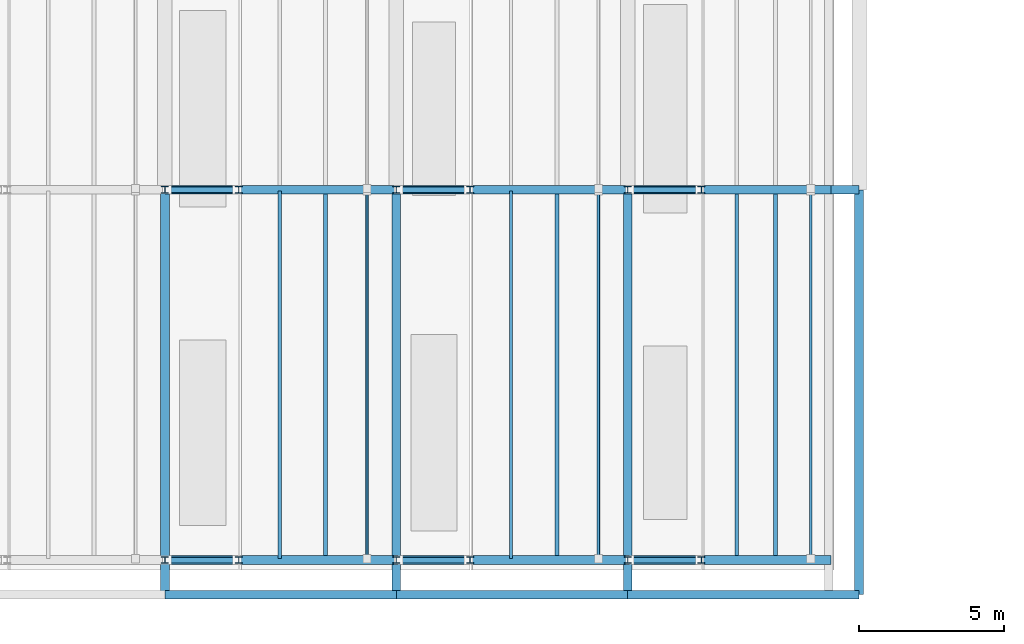
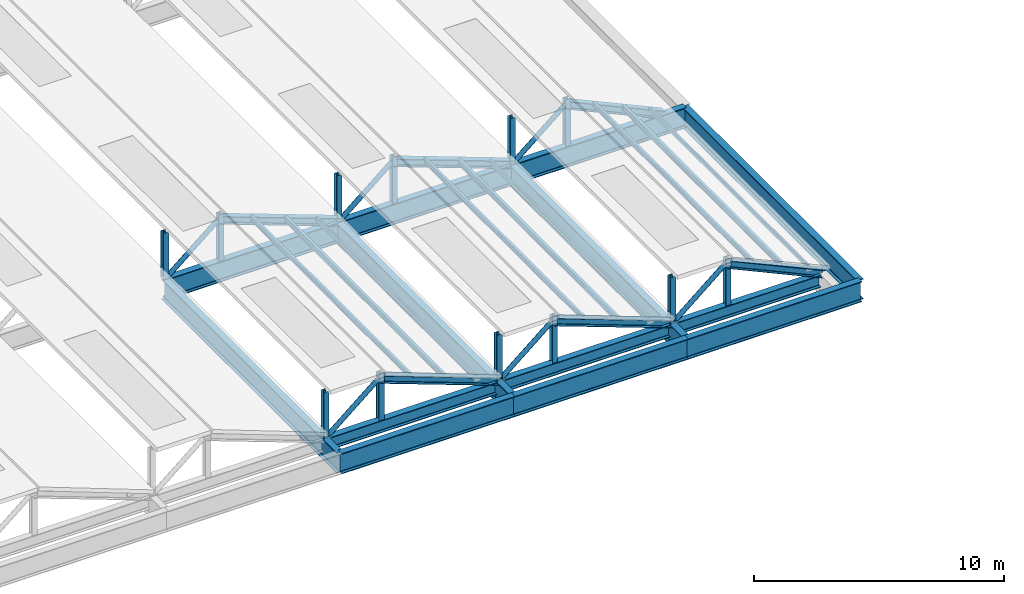
# One storey, part 4 of 14: 33 members, 13 beams.
"""IFC4 building model written with IfcOpenShell, lengths in metres."""

from ifc_helpers import new_model, si_unit, direction, frame, origin, origin_2d, place, context, subcontext, project, spatial, hollow_rectangle, hollow_circle, i_section, extrude, material, material_profile, profile_set, type_object, element, save


model = new_model("IFC4")

# Units and contexts
model_context = context("Model", 3, precision=1e-05, world=origin(), true_north=direction((0.0, 1.0)))
body_context = subcontext(model_context, "Body", "Model", "MODEL_VIEW")
ifc_project = project(units=[si_unit("LENGTHUNIT", "METRE"), si_unit("AREAUNIT", "SQUARE_METRE"), si_unit("VOLUMEUNIT", "CUBIC_METRE"), si_unit("PLANEANGLEUNIT", "RADIAN"), si_unit("MASSUNIT", "GRAM", prefix="KILO")], contexts=[model_context])

# Site, building, storey
site_placement = place(None, origin())
site = spatial("IfcSite", under=ifc_project, at=site_placement, CompositionType="ELEMENT")
building_placement = place(site_placement, origin())
building = spatial("IfcBuilding", under=site, at=building_placement, Name="Vekula Escarpment Museum", CompositionType="ELEMENT")
storey_placement = place(building_placement, frame((0.0, 0.0, 30.60009765625)))
storey = spatial("IfcBuildingStorey", under=building, at=storey_placement, Name="RF", CompositionType="ELEMENT", Elevation=30.60009765625)

# Beams
ifc_material_1 = material(Name="Steel S355", Category="steel")
ifc_material_profile_1 = material_profile(ifc_material_1, i_section(OverallWidth=0.300048828125, OverallDepth=0.60009765625, WebThickness=0.015380859375, FlangeThickness=0.030029296875, FilletRadius=0.027099609375, at=origin_2d()), Name="HEB 600")
ifc_profile_set_1 = profile_set([ifc_material_profile_1], Name="Steel S355")
beam_type_1 = type_object("IfcBeamType", Name="BM-GIRD-HEB600", PredefinedType="BEAM", material=ifc_profile_set_1)
for number, where, z_axis, x_axis, name in (
    (1, (102.14990234375, 46.800048828125, -2.550048828125), (1.0, 0.0, 0.0), (0.0, 1.0, 0.0), "Sawtooth Lantern Edge Girder RF 2462"),
    (2, (110.14990234375, 46.800048828125, -2.550048828125), (1.0, 0.0, 0.0), (0.0, 1.0, 0.0), "Sawtooth Lantern Edge Girder RF 2463"),
):
    element("IfcBeam", number, at=place(storey_placement, frame(where, z_axis=z_axis, x_axis=x_axis)), inside=storey, type_object=beam_type_1, Name=name, PredefinedType="BEAM", context=body_context, shape_type="SweptSolid", body=[
        extrude(i_section(OverallWidth=0.300048828125, OverallDepth=0.60009765625, WebThickness=0.015380859375, FlangeThickness=0.030029296875, FilletRadius=0.027099609375, at=origin_2d()), origin(), (0.0, 0.0, 1.0), 7.7001953125),
    ])
beam_placement = place(storey_placement, frame((118.14990234375, 46.800048828125, -2.550048828125), z_axis=(1.0, 0.0, 0.0), x_axis=(0.0, 1.0, 0.0)))
element("IfcBeam", 3, at=beam_placement, inside=storey, type_object=beam_type_1, Name="Sawtooth Lantern Edge Girder RF 2464", PredefinedType="BEAM", context=body_context, shape_type="SweptSolid", body=[
    extrude(i_section(OverallWidth=0.300048828125, OverallDepth=0.60009765625, WebThickness=0.015380859375, FlangeThickness=0.030029296875, FilletRadius=0.027099609375, at=origin_2d()), origin(), (0.0, 0.0, 1.0), 6.650146484375),
])
ifc_material_2 = material(Name="Steel S355", Category="steel")
ifc_material_profile_2 = material_profile(ifc_material_2, i_section(OverallWidth=0.300048828125, OverallDepth=1.0, WebThickness=0.01904296875, FlangeThickness=0.035888671875, FilletRadius=0.030029296875, at=origin_2d()), Name="HEB 1000")
ifc_profile_set_2 = profile_set([ifc_material_profile_2], Name="Steel S355")
beam_type_2 = type_object("IfcBeamType", Name="BM-TRUSS-CHORD-BOT", PredefinedType="BEAM", material=ifc_profile_set_2)
for number, where, z_axis, x_axis, name in (
    (4, (102.0, 45.60009765625, -2.75), (1.0, 0.0, 0.0), (0.0, 1.0, 0.0), "Roof Tie Girder RF 2434"),
    (5, (110.0, 45.60009765625, -2.75), (1.0, 0.0, 0.0), (0.0, 1.0, 0.0), "Roof Tie Girder RF 2435"),
    (6, (118.0, 45.60009765625, -2.75), (1.0, 0.0, 0.0), (0.0, 1.0, 0.0), "Roof Tie Girder RF 2436"),
    (7, (102.0, 59.60009765625, -2.75), (1.0, 0.0, 0.0), (0.0, 1.0, 0.0), "Roof Tie Girder RF 2441"),
    (8, (110.0, 59.60009765625, -2.75), (1.0, 0.0, 0.0), (0.0, 1.0, 0.0), "Roof Tie Girder RF 2442"),
    (9, (118.0, 59.60009765625, -2.75), (1.0, 0.0, 0.0), (0.0, 1.0, 0.0), "Roof Tie Girder RF 2443"),
):
    element("IfcBeam", number, at=place(storey_placement, frame(where, z_axis=z_axis, x_axis=x_axis)), inside=storey, type_object=beam_type_2, Name=name, PredefinedType="BEAM", context=body_context, shape_type="SweptSolid", body=[
        extrude(i_section(OverallWidth=0.300048828125, OverallDepth=1.0, WebThickness=0.01904296875, FlangeThickness=0.035888671875, FilletRadius=0.030029296875, at=origin_2d()), origin(), (0.0, 0.0, 1.0), 8.0),
    ])
for number, where, z_axis, x_axis, name in (
    (10, (102.0, 45.60009765625, -2.75), (0.0, 1.0, 0.0), (-1.0, 0.0, 0.0), "Sawtooth Tie Girder RF 2486"),
    (11, (110.0, 45.60009765625, -2.75), (0.0, 1.0, 0.0), (-1.0, 0.0, 0.0), "Sawtooth Tie Girder RF 2489"),
    (12, (118.0, 45.60009765625, -2.75), (0.0, 1.0, 0.0), (-1.0, 0.0, 0.0), "Sawtooth Tie Girder RF 2492"),
    (13, (126.0, 45.60009765625, -2.75), (0.0, 1.0, 0.0), (-1.0, 0.0, 0.0), "Sawtooth Tie Girder RF 2495"),
):
    element("IfcBeam", number, at=place(storey_placement, frame(where, z_axis=z_axis, x_axis=x_axis)), inside=storey, type_object=beam_type_2, Name=name, PredefinedType="BEAM", context=body_context, shape_type="SweptSolid", body=[
        extrude(i_section(OverallWidth=0.300048828125, OverallDepth=1.0, WebThickness=0.01904296875, FlangeThickness=0.035888671875, FilletRadius=0.030029296875, at=origin_2d()), origin(), (0.0, 0.0, 1.0), 14.0),
    ])

# Members
ifc_material_3 = material(Name="Steel S355", Category="steel")
ifc_material_profile_3 = material_profile(ifc_material_3, i_section(OverallWidth=0.1201171875, OverallDepth=0.239990234375, WebThickness=0.006103515625, FlangeThickness=0.009765625, FilletRadius=0.014892578125, at=origin_2d()), Name="IPE 240")
ifc_profile_set_3 = profile_set([ifc_material_profile_3], Name="Steel S355")
member_type_1 = type_object("IfcMemberType", Name="MB-PURL-IPE240", PredefinedType="PURLIN", material=ifc_profile_set_3)
for number, where, z_axis, x_axis, name in (
    (14, (105.965087890625, 46.85009765625, -0.66015625), (0.0, 1.0, 0.0), (-1.0, 0.0, 0.0), "Sawtooth Roof Purlin 057"),
    (15, (113.965087890625, 46.85009765625, -0.66015625), (0.0, 1.0, 0.0), (-1.0, 0.0, 0.0), "Sawtooth Roof Purlin 070"),
    (16, (121.764892578125, 46.85009765625, -0.66015625), (0.0, 1.0, 0.0), (-1.0, 0.0, 0.0), "Sawtooth Roof Purlin 083"),
):
    element("IfcMember", number, at=place(storey_placement, frame(where, z_axis=z_axis, x_axis=x_axis)), inside=storey, type_object=member_type_1, Name=name, PredefinedType="PURLIN", context=body_context, shape_type="SweptSolid", body=[
        extrude(i_section(OverallWidth=0.1201171875, OverallDepth=0.239990234375, WebThickness=0.006103515625, FlangeThickness=0.009765625, FilletRadius=0.014892578125, at=origin_2d()), origin(), (0.0, 0.0, 1.0), 12.699951171875),
    ])
ifc_material_4 = material(Name="Steel S355", Category="steel")
ifc_material_profile_4 = material_profile(ifc_material_4, i_section(OverallWidth=0.135009765625, OverallDepth=0.27001953125, WebThickness=0.006591796875, FlangeThickness=0.01025390625, FilletRadius=0.014892578125, at=origin_2d()), Name="IPE 270")
ifc_profile_set_4 = profile_set([ifc_material_profile_4], Name="Steel S355")
member_type_2 = type_object("IfcMemberType", Name="MB-PURL-IPE270", PredefinedType="PURLIN", material=ifc_profile_set_4)
for number, where, z_axis, x_axis, name in (
    (17, (107.554931640625, 46.85009765625, -1.275146484375), (0.0, 1.0, 0.0), (-1.0, 0.0, 0.0), "Sawtooth Roof Purlin 060"),
    (18, (115.554931640625, 46.85009765625, -1.275146484375), (0.0, 1.0, 0.0), (-1.0, 0.0, 0.0), "Sawtooth Roof Purlin 073"),
    (19, (123.114990234375, 46.85009765625, -1.275146484375), (0.0, 1.0, 0.0), (-1.0, 0.0, 0.0), "Sawtooth Roof Purlin 086"),
):
    element("IfcMember", number, at=place(storey_placement, frame(where, z_axis=z_axis, x_axis=x_axis)), inside=storey, type_object=member_type_2, Name=name, PredefinedType="PURLIN", context=body_context, shape_type="SweptSolid", body=[
        extrude(i_section(OverallWidth=0.135009765625, OverallDepth=0.27001953125, WebThickness=0.006591796875, FlangeThickness=0.01025390625, FilletRadius=0.014892578125, at=origin_2d()), origin(), (0.0, 0.0, 1.0), 12.699951171875),
    ])
ifc_material_5 = material(Name="Steel S355", Category="steel")
ifc_material_profile_5 = material_profile(ifc_material_5, hollow_rectangle(XDim=0.10009765625, YDim=0.199951171875, WallThickness=0.008056640625, InnerFilletRadius=0.008056640625, OuterFilletRadius=0.01611328125, at=origin_2d()), Name="RHS 200x100x8")
ifc_profile_set_5 = profile_set([ifc_material_profile_5], Name="Steel S355")
member_type_3 = type_object("IfcMemberType", Name="MB-PURL-RHS200", PredefinedType="PURLIN", material=ifc_profile_set_5)
for number, where, z_axis, x_axis, name in (
    (20, (108.986083984375, 46.85009765625, -1.780029296875), (0.0, 1.0, 0.0), (-1.0, 0.0, 0.0), "Sawtooth Roof Purlin 063"),
    (21, (116.986083984375, 46.85009765625, -1.780029296875), (0.0, 1.0, 0.0), (-1.0, 0.0, 0.0), "Sawtooth Roof Purlin 076"),
    (22, (124.330078125, 46.85009765625, -1.780029296875), (0.0, 1.0, 0.0), (-1.0, 0.0, 0.0), "Sawtooth Roof Purlin 089"),
):
    element("IfcMember", number, at=place(storey_placement, frame(where, z_axis=z_axis, x_axis=x_axis)), inside=storey, type_object=member_type_3, Name=name, PredefinedType="PURLIN", context=body_context, shape_type="SweptSolid", body=[
        extrude(hollow_rectangle(XDim=0.10009765625, YDim=0.199951171875, WallThickness=0.008056640625, InnerFilletRadius=0.008056640625, OuterFilletRadius=0.01611328125, at=origin_2d()), origin(), (0.0, 0.0, 1.0), 12.699951171875),
    ])
ifc_material_6 = material(Name="Steel S355", Category="steel")
ifc_material_profile_6 = material_profile(ifc_material_6, i_section(OverallWidth=0.300048828125, OverallDepth=0.360107421875, WebThickness=0.012451171875, FlangeThickness=0.0224609375, FilletRadius=0.027099609375, at=origin_2d()), Name="HEB 360")
ifc_profile_set_6 = profile_set([ifc_material_profile_6], Name="Steel S355")
member_type_4 = type_object("IfcMemberType", Name="MB-SAW-CHORD", PredefinedType="CHORD", material=ifc_profile_set_6)
for number, where, z_axis, x_axis, name in (
    (23, (104.550048828125, 46.800048828125, -0.260009765625), (0.938223943436, 0.0, -0.346028657721), (0.0, 1.0, 0.0), "Sawtooth Rafter 053"),
    (24, (104.550048828125, 59.60009765625, -0.260009765625), (0.938223943436, 0.0, -0.346028657721), (0.0, 1.0, 0.0), "Sawtooth Rafter 054"),
    (25, (112.550048828125, 46.800048828125, -0.260009765625), (0.938223943436, 0.0, -0.346028657721), (0.0, 1.0, 0.0), "Sawtooth Rafter 066"),
    (26, (112.550048828125, 59.60009765625, -0.260009765625), (0.938223943436, 0.0, -0.346028657721), (0.0, 1.0, 0.0), "Sawtooth Rafter 067"),
):
    element("IfcMember", number, at=place(storey_placement, frame(where, z_axis=z_axis, x_axis=x_axis)), inside=storey, type_object=member_type_4, Name=name, PredefinedType="CHORD", context=body_context, shape_type="SweptSolid", body=[
        extrude(i_section(OverallWidth=0.300048828125, OverallDepth=0.360107421875, WebThickness=0.012451171875, FlangeThickness=0.0224609375, FilletRadius=0.027099609375, at=origin_2d()), origin(), (0.0, 0.0, 1.0), 5.808837890625),
    ])
for number, where, z_axis, x_axis, name in (
    (27, (120.550048828125, 46.800048828125, -0.260009765625), (0.909581861474, 0.0, -0.415524773361), (0.0, 1.0, 0.0), "Sawtooth Rafter 079"),
    (28, (120.550048828125, 59.60009765625, -0.260009765625), (0.909581861474, 0.0, -0.415524773361), (0.0, 1.0, 0.0), "Sawtooth Rafter 080"),
):
    element("IfcMember", number, at=place(storey_placement, frame(where, z_axis=z_axis, x_axis=x_axis)), inside=storey, type_object=member_type_4, Name=name, PredefinedType="CHORD", context=body_context, shape_type="SweptSolid", body=[
        extrude(i_section(OverallWidth=0.300048828125, OverallDepth=0.360107421875, WebThickness=0.012451171875, FlangeThickness=0.0224609375, FilletRadius=0.027099609375, at=origin_2d()), origin(), (0.0, 0.0, 1.0), 4.837158203125),
    ])
ifc_material_7 = material(Name="Steel S355", Category="steel")
ifc_material_profile_7 = material_profile(ifc_material_7, hollow_circle(Radius=0.109619140625, WallThickness=0.010009765625, at=origin_2d()), Name="CHS 219.1x10")
ifc_profile_set_7 = profile_set([ifc_material_profile_7], Name="Steel S355")
member_type_5 = type_object("IfcMemberType", Name="MB-SAW-DIAG", PredefinedType="BRACE", material=ifc_profile_set_7)
for number, where, z_axis, x_axis, name in (
    (29, (102.080078125, 46.800048828125, -2.27001953125), (0.767947002011, 0.0, 0.64051338948), (0.0, 1.0, 0.0), "Sawtooth Roof Truss Diagonal 053"),
    (30, (102.080078125, 59.60009765625, -2.27001953125), (0.767947002011, 0.0, 0.64051338948), (0.0, 1.0, 0.0), "Sawtooth Roof Truss Diagonal 054"),
    (31, (110.080078125, 46.800048828125, -2.27001953125), (0.767947002011, 0.0, 0.64051338948), (0.0, 1.0, 0.0), "Sawtooth Roof Truss Diagonal 066"),
    (32, (110.080078125, 59.60009765625, -2.27001953125), (0.767947002011, 0.0, 0.64051338948), (0.0, 1.0, 0.0), "Sawtooth Roof Truss Diagonal 067"),
    (33, (118.080078125, 46.800048828125, -2.27001953125), (0.767947002011, 0.0, 0.64051338948), (0.0, 1.0, 0.0), "Sawtooth Roof Truss Diagonal 079"),
    (34, (118.080078125, 59.60009765625, -2.27001953125), (0.767947002011, 0.0, 0.64051338948), (0.0, 1.0, 0.0), "Sawtooth Roof Truss Diagonal 080"),
):
    element("IfcMember", number, at=place(storey_placement, frame(where, z_axis=z_axis, x_axis=x_axis)), inside=storey, type_object=member_type_5, Name=name, PredefinedType="BRACE", context=body_context, shape_type="SweptSolid", body=[
        extrude(hollow_circle(Radius=0.109619140625, WallThickness=0.010009765625, at=origin_2d()), origin(), (0.0, 0.0, 1.0), 3.13818359375),
    ])
ifc_material_8 = material(Name="Steel S355", Category="steel")
ifc_material_profile_8 = material_profile(ifc_material_8, i_section(OverallWidth=0.239990234375, OverallDepth=0.239990234375, WebThickness=0.010009765625, FlangeThickness=0.01708984375, FilletRadius=0.02099609375, at=origin_2d()), Name="HEB 240")
ifc_profile_set_8 = profile_set([ifc_material_profile_8], Name="Steel S355")
member_type_6 = type_object("IfcMemberType", Name="MB-SAW-POST", PredefinedType="STRUT", material=ifc_profile_set_8)
for number, where, z_axis, x_axis, name in (
    (35, (102.0, 46.800048828125, -2.27001953125), (0.0, 0.0, 1.0), (1.0, 0.0, 0.0), "Sawtooth North Post 053"),
    (36, (104.550048828125, 46.800048828125, -2.27001953125), (0.0, 0.0, 1.0), (1.0, 0.0, 0.0), "Sawtooth Monitor Post 053"),
    (37, (102.0, 59.60009765625, -2.27001953125), (0.0, 0.0, 1.0), (1.0, 0.0, 0.0), "Sawtooth North Post 054"),
    (38, (104.550048828125, 59.60009765625, -2.27001953125), (0.0, 0.0, 1.0), (1.0, 0.0, 0.0), "Sawtooth Monitor Post 054"),
    (39, (110.0, 46.800048828125, -2.27001953125), (0.0, 0.0, 1.0), (1.0, 0.0, 0.0), "Sawtooth North Post 066"),
    (40, (112.550048828125, 46.800048828125, -2.27001953125), (0.0, 0.0, 1.0), (1.0, 0.0, 0.0), "Sawtooth Monitor Post 066"),
    (41, (110.0, 59.60009765625, -2.27001953125), (0.0, 0.0, 1.0), (1.0, 0.0, 0.0), "Sawtooth North Post 067"),
    (42, (112.550048828125, 59.60009765625, -2.27001953125), (0.0, 0.0, 1.0), (1.0, 0.0, 0.0), "Sawtooth Monitor Post 067"),
    (43, (118.0, 46.800048828125, -2.27001953125), (0.0, 0.0, 1.0), (1.0, 0.0, 0.0), "Sawtooth North Post 079"),
    (44, (120.550048828125, 46.800048828125, -2.27001953125), (0.0, 0.0, 1.0), (1.0, 0.0, 0.0), "Sawtooth Monitor Post 079"),
    (45, (118.0, 59.60009765625, -2.27001953125), (0.0, 0.0, 1.0), (1.0, 0.0, 0.0), "Sawtooth North Post 080"),
    (46, (120.550048828125, 59.60009765625, -2.27001953125), (0.0, 0.0, 1.0), (1.0, 0.0, 0.0), "Sawtooth Monitor Post 080"),
):
    element("IfcMember", number, at=place(storey_placement, frame(where, z_axis=z_axis, x_axis=x_axis)), inside=storey, type_object=member_type_6, Name=name, PredefinedType="STRUT", context=body_context, shape_type="SweptSolid", body=[
        extrude(i_section(OverallWidth=0.239990234375, OverallDepth=0.239990234375, WebThickness=0.010009765625, FlangeThickness=0.01708984375, FilletRadius=0.02099609375, at=origin_2d()), origin(), (0.0, 0.0, 1.0), 2.2900390625),
    ])

save(model, "model.ifc")
